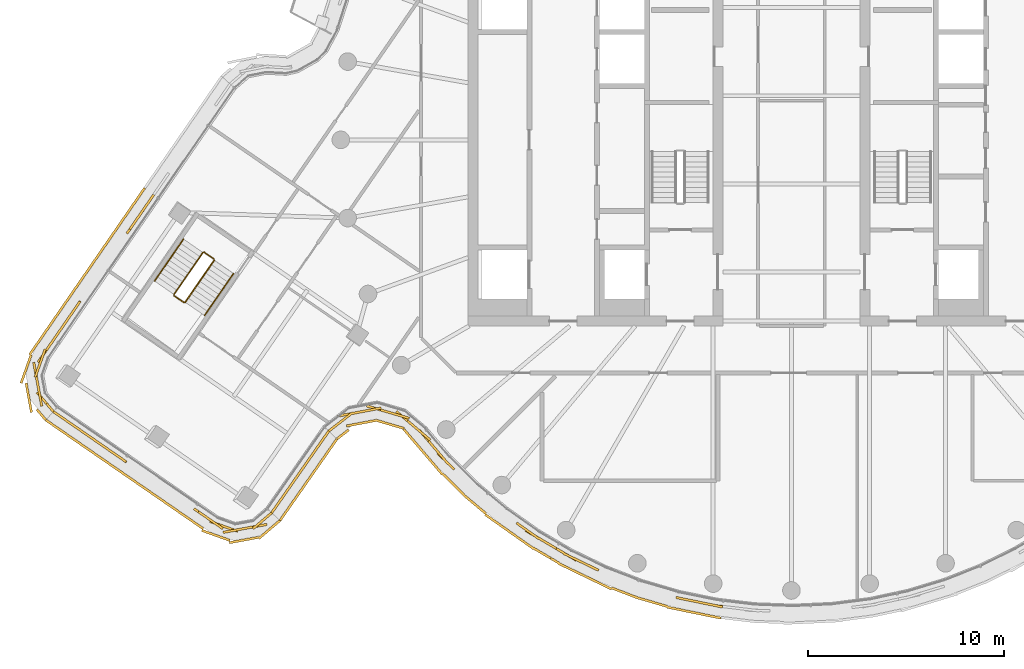
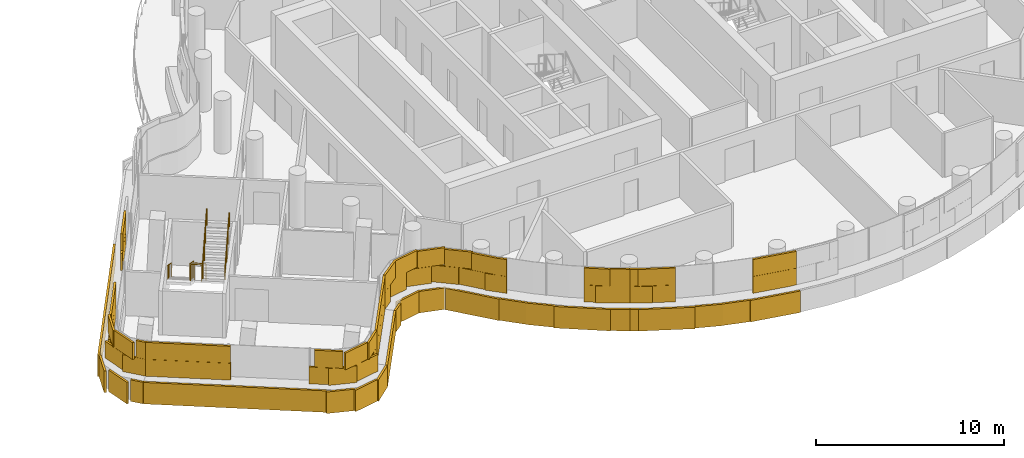
# One storey, part 21 of 26: 6 railings, 5 coverings.
"""IFC4 building model written with IfcOpenShell, lengths in metres."""

from ifc_helpers import new_model, si_unit, direction, frame, origin, origin_2d, place, context, subcontext, project, spatial, rectangle, circle, extrude, material, layer, layer_set, type_object, element, save


model = new_model("IFC4")

# Units and contexts
model_context = context("Model", 3, precision=1e-05, world=origin(), true_north=direction((0.0, 1.0)))
body_context = subcontext(model_context, "Body", "Model", "MODEL_VIEW")
ifc_project = project(units=[si_unit("LENGTHUNIT", "METRE"), si_unit("AREAUNIT", "SQUARE_METRE"), si_unit("VOLUMEUNIT", "CUBIC_METRE"), si_unit("PLANEANGLEUNIT", "RADIAN"), si_unit("MASSUNIT", "GRAM", prefix="KILO")], contexts=[model_context])

# Site, building, storey
site_placement = place(None, origin())
site = spatial("IfcSite", under=ifc_project, at=site_placement, CompositionType="ELEMENT")
building_placement = place(site_placement, origin())
building = spatial("IfcBuilding", under=site, at=building_placement, Name="Tamarind Cross Interchange Tower", CompositionType="ELEMENT")
storey_placement = place(building_placement, frame((0.0, 0.0, 234.300048828125)))
storey = spatial("IfcBuildingStorey", under=building, at=storey_placement, Name="L59", CompositionType="ELEMENT", Elevation=234.300048828125)

# Railings
ifc_material_1 = material(Name="Stair guard")
railing_type_1 = type_object("IfcRailingType", Name="Stair guard", PredefinedType="GUARDRAIL", material=ifc_material_1)
railing_1_placement = place(storey_placement, frame((-30.041015625, -5.749267578125, 0.16357421875)))
element("IfcRailing", 1, at=railing_1_placement, inside=storey, type_object=railing_type_1, Name="L59 ST5 stair guard 1", PredefinedType="GUARDRAIL", context=body_context, shape_type="SweptSolid", body=[
    extrude(circle(Radius=0.02392578125, at=origin_2d()), frame((0.0, 0.0, 1.076171875), z_axis=(-0.480855604908, -0.696449929171, 0.532668173806), x_axis=(0.822911534533, -0.568169522531, 0.0)), (0.0, 0.0, 1.0), 3.072265625),
    extrude(circle(Radius=0.02099609375, at=origin_2d()), origin(), (0.0, 0.0, 1.0), 1.052001953125),
    extrude(circle(Radius=0.02099609375, at=origin_2d()), frame((-0.492431640625, -0.713134765625, 0.54541015625)), (0.0, 0.0, 1.0), 1.052001953125),
    extrude(circle(Radius=0.02099609375, at=origin_2d()), frame((-0.98486328125, -1.426513671875, 1.091064453125)), (0.0, 0.0, 1.0), 1.052001953125),
    extrude(circle(Radius=0.02099609375, at=origin_2d()), frame((-1.477294921875, -2.1396484375, 1.636474609375)), (0.0, 0.0, 1.0), 1.052001953125),
])
railing_2_placement = place(storey_placement, frame((-31.505615234375, -7.958251953125, 1.800048828125)))
element("IfcRailing", 2, at=railing_2_placement, inside=storey, type_object=railing_type_1, Name="L59 ST5 stair guard 2", PredefinedType="GUARDRAIL", context=body_context, shape_type="SweptSolid", body=[
    extrude(circle(Radius=0.02392578125, at=origin_2d()), frame((0.0, 0.0, 1.076171875), z_axis=(0.822733797881, -0.568426862335, 0.0), x_axis=(0.568426862335, 0.822733797881, 0.0)), (0.0, 0.0, 1.0), 0.60009765625),
    extrude(circle(Radius=0.02099609375, at=origin_2d()), origin(), (0.0, 0.0, 1.0), 1.052001953125),
    extrude(circle(Radius=0.02099609375, at=origin_2d()), frame((0.49365234375, -0.341064453125, 0.0)), (0.0, 0.0, 1.0), 1.052001953125),
])
railing_3_placement = place(storey_placement, frame((-30.9423828125, -8.28662109375, 1.963623046875)))
element("IfcRailing", 3, at=railing_3_placement, inside=storey, type_object=railing_type_1, Name="L59 ST5 stair guard 3", PredefinedType="GUARDRAIL", context=body_context, shape_type="SweptSolid", body=[
    extrude(circle(Radius=0.02392578125, at=origin_2d()), frame((0.0, 0.0, 1.076171875), z_axis=(0.480875959113, 0.696479409299, 0.532611250698), x_axis=(-0.822911534533, 0.568169522531, 0.0)), (0.0, 0.0, 1.0), 3.072021484375),
    extrude(circle(Radius=0.02099609375, at=origin_2d()), origin(), (0.0, 0.0, 1.0), 1.052001953125),
    extrude(circle(Radius=0.02099609375, at=origin_2d()), frame((0.492431640625, 0.713134765625, 0.54541015625)), (0.0, 0.0, 1.0), 1.052001953125),
    extrude(circle(Radius=0.02099609375, at=origin_2d()), frame((0.98486328125, 1.426513671875, 1.0908203125)), (0.0, 0.0, 1.0), 1.052001953125),
    extrude(circle(Radius=0.02099609375, at=origin_2d()), frame((1.477294921875, 2.1396484375, 1.63623046875)), (0.0, 0.0, 1.0), 1.052001953125),
])
railing_4_placement = place(storey_placement, frame((-29.971435546875, -5.736572265625, 0.0)))
element("IfcRailing", 4, at=railing_4_placement, inside=storey, type_object=railing_type_1, Name="L59 ST5 stair guard 4", PredefinedType="GUARDRAIL", context=body_context, shape_type="SweptSolid", body=[
    extrude(circle(Radius=0.02392578125, at=origin_2d()), frame((0.0, 0.0, 1.076171875), z_axis=(0.822924084085, -0.568151345887, 0.0), x_axis=(0.568151345887, 0.822924084085, 0.0)), (0.0, 0.0, 1.0), 0.599853515625),
    extrude(circle(Radius=0.02099609375, at=origin_2d()), origin(), (0.0, 0.0, 1.0), 1.052001953125),
    extrude(circle(Radius=0.02099609375, at=origin_2d()), frame((0.49365234375, -0.3408203125, 0.0)), (0.0, 0.0, 1.0), 1.052001953125),
])
ifc_material_2 = material(Name="Stair handrail")
railing_type_2 = type_object("IfcRailingType", Name="Stair handrail", PredefinedType="HANDRAIL", material=ifc_material_2)
railing_5_placement = place(storey_placement, frame((-31.028564453125, -5.0673828125, 0.16357421875)))
element("IfcRailing", 5, at=railing_5_placement, inside=storey, type_object=railing_type_2, Name="L59 ST5 stair handrail 1", PredefinedType="HANDRAIL", context=body_context, shape_type="SweptSolid", body=[
    extrude(circle(Radius=0.02392578125, at=origin_2d()), frame((0.0, 0.0, 0.8759765625), z_axis=(-0.480855604908, -0.696449929171, 0.532668173806), x_axis=(0.822911534533, -0.568169522531, 0.0)), (0.0, 0.0, 1.0), 3.072265625),
    extrude(circle(Radius=0.02099609375, at=origin_2d()), origin(), (0.0, 0.0, 1.0), 0.851806640625),
    extrude(circle(Radius=0.02099609375, at=origin_2d()), frame((-0.492431640625, -0.713134765625, 0.54541015625)), (0.0, 0.0, 1.0), 0.851806640625),
    extrude(circle(Radius=0.02099609375, at=origin_2d()), frame((-0.98486328125, -1.426513671875, 1.091064453125)), (0.0, 0.0, 1.0), 0.851806640625),
    extrude(circle(Radius=0.02099609375, at=origin_2d()), frame((-1.477294921875, -2.1396484375, 1.636474609375)), (0.0, 0.0, 1.0), 0.851806640625),
])
railing_6_placement = place(storey_placement, frame((-29.954833984375, -8.968505859375, 1.963623046875)))
element("IfcRailing", 6, at=railing_6_placement, inside=storey, type_object=railing_type_2, Name="L59 ST5 stair handrail 2", PredefinedType="HANDRAIL", context=body_context, shape_type="SweptSolid", body=[
    extrude(circle(Radius=0.02392578125, at=origin_2d()), frame((0.0, 0.0, 0.8759765625), z_axis=(0.480875959113, 0.696479409299, 0.532611250698), x_axis=(-0.822911534533, 0.568169522531, 0.0)), (0.0, 0.0, 1.0), 3.072021484375),
    extrude(circle(Radius=0.02099609375, at=origin_2d()), origin(), (0.0, 0.0, 1.0), 0.851806640625),
    extrude(circle(Radius=0.02099609375, at=origin_2d()), frame((0.492431640625, 0.713134765625, 0.54541015625)), (0.0, 0.0, 1.0), 0.851806640625),
    extrude(circle(Radius=0.02099609375, at=origin_2d()), frame((0.98486328125, 1.426513671875, 1.0908203125)), (0.0, 0.0, 1.0), 0.851806640625),
    extrude(circle(Radius=0.02099609375, at=origin_2d()), frame((1.477294921875, 2.1396484375, 1.63623046875)), (0.0, 0.0, 1.0), 0.851806640625),
])

# Coverings
ifc_material_3 = material(Name="Terracotta", Category="masonry")
ifc_layer = layer(ifc_material_3, 0.1201171875)
ifc_layer_set = layer_set([ifc_layer], Name="Terracotta")
covering_type = type_object("IfcCoveringType", Name="Terracotta baguette screen unit", PredefinedType="MOLDING", material=ifc_layer_set)
covering_1_placement = place(storey_placement, origin())
element("IfcCovering", 7, at=covering_1_placement, inside=storey, type_object=covering_type, Name="SCR-L59-00-00", PredefinedType="MOLDING", context=body_context, shape_type="SweptSolid", body=[
    extrude(rectangle(XDim=0.760009765625, YDim=0.1201171875, at=origin_2d()), frame((-37.36083984375, -14.085205078125, 1.40380859375), z_axis=(0.0, 0.0, 1.0), x_axis=(0.822882571359, -0.56821146922, 0.0)), (0.0, 0.0, 1.0), 1.092041015625),
    extrude(rectangle(XDim=1.52001953125, YDim=0.1201171875, at=origin_2d()), frame((-36.43505859375, -14.724365234375, 1.40380859375), z_axis=(0.0, 0.0, 1.0), x_axis=(0.822882571359, -0.56821146922, 0.0)), (0.0, 0.0, 1.0), 1.092041015625),
    extrude(rectangle(XDim=1.52001953125, YDim=0.1201171875, at=origin_2d()), frame((-35.20068359375, -15.57666015625, 1.40380859375), z_axis=(0.0, 0.0, 1.0), x_axis=(0.822882571359, -0.56821146922, 0.0)), (0.0, 0.0, 1.0), 1.092041015625),
    extrude(rectangle(XDim=0.78466796875, YDim=0.1201171875, at=origin_2d()), frame((-34.264892578125, -16.222900390625, 1.40380859375), z_axis=(0.0, 0.0, 1.0), x_axis=(0.822882571359, -0.56821146922, 0.0)), (0.0, 0.0, 1.0), 1.092041015625),
    extrude(rectangle(XDim=1.035400390625, YDim=0.1201171875, at=origin_2d()), frame((-30.068115234375, -19.120849609375, 1.40380859375), z_axis=(0.0, 0.0, 1.0), x_axis=(0.822882571359, -0.56821146922, 0.0)), (0.0, 0.0, 1.0), 1.092041015625),
    extrude(rectangle(XDim=1.52001953125, YDim=0.1201171875, at=origin_2d()), frame((-28.972412109375, -19.7275390625, 1.40380859375), z_axis=(0.0, 0.0, 1.0), x_axis=(0.941907477559, -0.335872451562, 0.0)), (0.0, 0.0, 1.0), 1.092041015625),
    extrude(rectangle(XDim=1.52001953125, YDim=0.1201171875, at=origin_2d()), frame((-27.521728515625, -19.764404296875, 1.40380859375), z_axis=(0.0, 0.0, 1.0), x_axis=(0.983652029362, 0.180079663295, 0.0)), (0.0, 0.0, 1.0), 1.092041015625),
    extrude(rectangle(XDim=0.509521484375, YDim=0.1201171875, at=origin_2d()), frame((-26.720703125, -19.2001953125, 1.40380859375), z_axis=(0.0, 0.0, 1.0), x_axis=(0.761827814264, 0.647779577799, 0.0)), (0.0, 0.0, 1.0), 1.092041015625),
    extrude(rectangle(XDim=1.510009765625, YDim=0.1201171875, at=origin_2d()), frame((-37.05224609375, -14.298095703125, 2.50390625), z_axis=(0.0, 0.0, 1.0), x_axis=(0.822882571359, -0.56821146922, 0.0)), (0.0, 0.0, 1.0), 1.092041015625),
    extrude(rectangle(XDim=1.52001953125, YDim=0.1201171875, at=origin_2d()), frame((-35.81787109375, -15.150390625, 2.50390625), z_axis=(0.0, 0.0, 1.0), x_axis=(0.822882571359, -0.56821146922, 0.0)), (0.0, 0.0, 1.0), 1.092041015625),
    extrude(rectangle(XDim=1.52001953125, YDim=0.1201171875, at=origin_2d()), frame((-34.58349609375, -16.002685546875, 2.50390625), z_axis=(0.0, 0.0, 1.0), x_axis=(0.822882571359, -0.56821146922, 0.0)), (0.0, 0.0, 1.0), 1.092041015625),
    extrude(rectangle(XDim=1.52001953125, YDim=0.1201171875, at=origin_2d()), frame((-29.646240234375, -19.412109375, 2.50390625), z_axis=(0.0, 0.0, 1.0), x_axis=(0.822882571359, -0.56821146922, 0.0)), (0.0, 0.0, 1.0), 1.092041015625),
    extrude(rectangle(XDim=1.52001953125, YDim=0.1201171875, at=origin_2d()), frame((-28.259521484375, -19.8994140625, 2.50390625), z_axis=(0.0, 0.0, 1.0), x_axis=(0.983652029362, 0.180079663295, 0.0)), (0.0, 0.0, 1.0), 1.092041015625),
    extrude(rectangle(XDim=1.259521484375, YDim=0.1201171875, at=origin_2d()), frame((-27.00634765625, -19.443115234375, 2.50390625), z_axis=(0.0, 0.0, 1.0), x_axis=(0.761827814264, 0.647779577799, 0.0)), (0.0, 0.0, 1.0), 1.092041015625),
    extrude(rectangle(XDim=0.760009765625, YDim=0.1201171875, at=origin_2d()), frame((-37.7451171875, -14.517333984375, 0.00390625), z_axis=(0.0, 0.0, 1.0), x_axis=(0.822882571359, -0.56821146922, 0.0)), (0.0, 0.0, 1.0), 1.39208984375),
    extrude(rectangle(XDim=1.52001953125, YDim=0.1201171875, at=origin_2d()), frame((-36.823486328125, -15.15380859375, 0.00390625), z_axis=(0.0, 0.0, 1.0), x_axis=(0.822882571359, -0.56821146922, 0.0)), (0.0, 0.0, 1.0), 1.39208984375),
    extrude(rectangle(XDim=1.52001953125, YDim=0.1201171875, at=origin_2d()), frame((-35.589111328125, -16.006103515625, 0.00390625), z_axis=(0.0, 0.0, 1.0), x_axis=(0.822882571359, -0.56821146922, 0.0)), (0.0, 0.0, 1.0), 1.39208984375),
    extrude(rectangle(XDim=1.52001953125, YDim=0.1201171875, at=origin_2d()), frame((-34.354736328125, -16.8583984375, 0.00390625), z_axis=(0.0, 0.0, 1.0), x_axis=(0.822882571359, -0.56821146922, 0.0)), (0.0, 0.0, 1.0), 1.39208984375),
    extrude(rectangle(XDim=1.52001953125, YDim=0.1201171875, at=origin_2d()), frame((-33.120361328125, -17.710693359375, 0.00390625), z_axis=(0.0, 0.0, 1.0), x_axis=(0.822882571359, -0.56821146922, 0.0)), (0.0, 0.0, 1.0), 1.39208984375),
    extrude(rectangle(XDim=1.52001953125, YDim=0.1201171875, at=origin_2d()), frame((-31.88623046875, -18.56298828125, 0.00390625), z_axis=(0.0, 0.0, 1.0), x_axis=(0.822882571359, -0.56821146922, 0.0)), (0.0, 0.0, 1.0), 1.39208984375),
    extrude(rectangle(XDim=1.52001953125, YDim=0.1201171875, at=origin_2d()), frame((-30.65185546875, -19.415283203125, 0.00390625), z_axis=(0.0, 0.0, 1.0), x_axis=(0.822882571359, -0.56821146922, 0.0)), (0.0, 0.0, 1.0), 1.39208984375),
    extrude(rectangle(XDim=1.52001953125, YDim=0.1201171875, at=origin_2d()), frame((-29.378662109375, -20.192138671875, 0.00390625), z_axis=(0.0, 0.0, 1.0), x_axis=(0.941907477559, -0.335872451562, 0.0)), (0.0, 0.0, 1.0), 1.39208984375),
    extrude(rectangle(XDim=1.52001953125, YDim=0.1201171875, at=origin_2d()), frame((-27.944091796875, -20.42529296875, 0.00390625), z_axis=(0.0, 0.0, 1.0), x_axis=(0.983652029362, 0.180079663295, 0.0)), (0.0, 0.0, 1.0), 1.39208984375),
    extrude(rectangle(XDim=1.42529296875, YDim=0.1201171875, at=origin_2d()), frame((-26.64501953125, -19.889404296875, 0.00390625), z_axis=(0.0, 0.0, 1.0), x_axis=(0.761827814264, 0.647779577799, 0.0)), (0.0, 0.0, 1.0), 1.39208984375),
])
covering_2_placement = place(storey_placement, origin())
element("IfcCovering", 8, at=covering_2_placement, inside=storey, type_object=covering_type, Name="SCR-L59-01-00", PredefinedType="MOLDING", context=body_context, shape_type="SweptSolid", body=[
    extrude(rectangle(XDim=0.760009765625, YDim=0.1201171875, at=origin_2d()), frame((-26.315673828125, -18.73095703125, 1.40380859375), z_axis=(0.0, 0.0, 1.0), x_axis=(0.572611450483, 0.819826888298, 0.0)), (0.0, 0.0, 1.0), 1.092041015625),
    extrude(rectangle(XDim=1.52001953125, YDim=0.1201171875, at=origin_2d()), frame((-25.67138671875, -17.808837890625, 1.40380859375), z_axis=(0.0, 0.0, 1.0), x_axis=(0.572611450483, 0.819826888298, 0.0)), (0.0, 0.0, 1.0), 1.092041015625),
    extrude(rectangle(XDim=1.52001953125, YDim=0.1201171875, at=origin_2d()), frame((-24.8125, -16.5791015625, 1.40380859375), z_axis=(0.0, 0.0, 1.0), x_axis=(0.572611450483, 0.819826888298, 0.0)), (0.0, 0.0, 1.0), 1.092041015625),
    extrude(rectangle(XDim=1.348876953125, YDim=0.1201171875, at=origin_2d()), frame((-23.999755859375, -15.415283203125, 1.40380859375), z_axis=(0.0, 0.0, 1.0), x_axis=(0.572611450483, 0.819826888298, 0.0)), (0.0, 0.0, 1.0), 1.092041015625),
    extrude(rectangle(XDim=1.510009765625, YDim=0.1201171875, at=origin_2d()), frame((-26.100830078125, -18.423583984375, 2.50390625), z_axis=(0.0, 0.0, 1.0), x_axis=(0.572611450483, 0.819826888298, 0.0)), (0.0, 0.0, 1.0), 1.092041015625),
    extrude(rectangle(XDim=1.52001953125, YDim=0.1201171875, at=origin_2d()), frame((-25.241943359375, -17.19384765625, 2.50390625), z_axis=(0.0, 0.0, 1.0), x_axis=(0.572611450483, 0.819826888298, 0.0)), (0.0, 0.0, 1.0), 1.092041015625),
    extrude(rectangle(XDim=1.52001953125, YDim=0.1201171875, at=origin_2d()), frame((-24.383056640625, -15.964111328125, 2.50390625), z_axis=(0.0, 0.0, 1.0), x_axis=(0.572611450483, 0.819826888298, 0.0)), (0.0, 0.0, 1.0), 1.092041015625),
    extrude(rectangle(XDim=0.598876953125, YDim=0.1201171875, at=origin_2d()), frame((-23.784912109375, -15.10791015625, 2.50390625), z_axis=(0.0, 0.0, 1.0), x_axis=(0.572611450483, 0.819826888298, 0.0)), (0.0, 0.0, 1.0), 1.092041015625),
    extrude(rectangle(XDim=0.760009765625, YDim=0.1201171875, at=origin_2d()), frame((-25.884521484375, -19.1162109375, 0.00390625), z_axis=(0.0, 0.0, 1.0), x_axis=(0.572611450483, 0.819826888298, 0.0)), (0.0, 0.0, 1.0), 1.39208984375),
    extrude(rectangle(XDim=1.52001953125, YDim=0.1201171875, at=origin_2d()), frame((-25.2431640625, -18.197998046875, 0.00390625), z_axis=(0.0, 0.0, 1.0), x_axis=(0.572611450483, 0.819826888298, 0.0)), (0.0, 0.0, 1.0), 1.39208984375),
    extrude(rectangle(XDim=1.52001953125, YDim=0.1201171875, at=origin_2d()), frame((-24.38427734375, -16.96826171875, 0.00390625), z_axis=(0.0, 0.0, 1.0), x_axis=(0.572611450483, 0.819826888298, 0.0)), (0.0, 0.0, 1.0), 1.39208984375),
    extrude(rectangle(XDim=1.3359375, YDim=0.1201171875, at=origin_2d()), frame((-23.578125, -15.814208984375, 0.00390625), z_axis=(0.0, 0.0, 1.0), x_axis=(0.572611450483, 0.819826888298, 0.0)), (0.0, 0.0, 1.0), 1.39208984375),
])
covering_3_placement = place(storey_placement, origin())
element("IfcCovering", 9, at=covering_3_placement, inside=storey, type_object=covering_type, Name="SCR-L59-02-00", PredefinedType="MOLDING", context=body_context, shape_type="SweptSolid", body=[
    extrude(rectangle(XDim=0.760009765625, YDim=0.1201171875, at=origin_2d()), frame((-23.3203125, -14.636474609375, 1.40380859375), z_axis=(0.0, 0.0, 1.0), x_axis=(0.789688514992, 0.613507986329, 0.0)), (0.0, 0.0, 1.0), 1.092041015625),
    extrude(rectangle(XDim=1.52001953125, YDim=0.1201171875, at=origin_2d()), frame((-22.42333984375, -13.965576171875, 1.40380859375), z_axis=(0.0, 0.0, 1.0), x_axis=(0.982866785773, 0.184317338916, 0.0)), (0.0, 0.0, 1.0), 1.092041015625),
    extrude(rectangle(XDim=1.52001953125, YDim=0.1201171875, at=origin_2d()), frame((-20.953857421875, -13.7890625, 1.40380859375), z_axis=(0.0, 0.0, 1.0), x_axis=(0.960056782397, -0.279805244007, 0.0)), (0.0, 0.0, 1.0), 1.092041015625),
    extrude(rectangle(XDim=1.52001953125, YDim=0.1201171875, at=origin_2d()), frame((-19.5888671875, -14.3486328125, 1.40380859375), z_axis=(0.0, 0.0, 1.0), x_axis=(0.764058405096, -0.645147079046, 0.0)), (0.0, 0.0, 1.0), 1.092041015625),
    extrude(rectangle(XDim=1.52001953125, YDim=0.1201171875, at=origin_2d()), frame((-18.509521484375, -15.383544921875, 1.40380859375), z_axis=(0.0, 0.0, 1.0), x_axis=(0.649701191514, -0.760189688003, 0.0)), (0.0, 0.0, 1.0), 1.092041015625),
    extrude(rectangle(XDim=1.200927734375, YDim=0.1201171875, at=origin_2d()), frame((-17.634033203125, -16.4052734375, 1.40380859375), z_axis=(0.0, 0.0, 1.0), x_axis=(0.710143317658, -0.704057148523, 0.0)), (0.0, 0.0, 1.0), 1.092041015625),
    extrude(rectangle(XDim=0.619140625, YDim=0.1201171875, at=origin_2d()), frame((-13.7802734375, -19.72998046875, 1.40380859375), z_axis=(0.0, 0.0, 1.0), x_axis=(0.816341886298, -0.577568978284, 0.0)), (0.0, 0.0, 1.0), 1.092041015625),
    extrude(rectangle(XDim=1.52001953125, YDim=0.1201171875, at=origin_2d()), frame((-12.91015625, -20.32470703125, 1.40380859375), z_axis=(0.0, 0.0, 1.0), x_axis=(0.861248933065, -0.508183308752, 0.0)), (0.0, 0.0, 1.0), 1.092041015625),
    extrude(rectangle(XDim=0.3173828125, YDim=0.1201171875, at=origin_2d()), frame((-12.1318359375, -20.7841796875, 1.40380859375), z_axis=(0.0, 0.0, 1.0), x_axis=(0.861248933065, -0.508183308752, 0.0)), (0.0, 0.0, 1.0), 1.092041015625),
    extrude(rectangle(XDim=1.510009765625, YDim=0.1201171875, at=origin_2d()), frame((-23.024169921875, -14.406494140625, 2.50390625), z_axis=(0.0, 0.0, 1.0), x_axis=(0.789688514992, 0.613507986329, 0.0)), (0.0, 0.0, 1.0), 1.092041015625),
    extrude(rectangle(XDim=1.52001953125, YDim=0.1201171875, at=origin_2d()), frame((-21.68603515625, -13.8271484375, 2.50390625), z_axis=(0.0, 0.0, 1.0), x_axis=(0.982866785773, 0.184317338916, 0.0)), (0.0, 0.0, 1.0), 1.092041015625),
    extrude(rectangle(XDim=1.52001953125, YDim=0.1201171875, at=origin_2d()), frame((-20.23388671875, -13.998779296875, 2.50390625), z_axis=(0.0, 0.0, 1.0), x_axis=(0.960056782397, -0.279805244007, 0.0)), (0.0, 0.0, 1.0), 1.092041015625),
    extrude(rectangle(XDim=1.52001953125, YDim=0.1201171875, at=origin_2d()), frame((-19.015869140625, -14.83251953125, 2.50390625), z_axis=(0.0, 0.0, 1.0), x_axis=(0.764058405096, -0.645147079046, 0.0)), (0.0, 0.0, 1.0), 1.092041015625),
    extrude(rectangle(XDim=1.52001953125, YDim=0.1201171875, at=origin_2d()), frame((-18.0224609375, -15.953857421875, 2.50390625), z_axis=(0.0, 0.0, 1.0), x_axis=(0.649701191514, -0.760189688003, 0.0)), (0.0, 0.0, 1.0), 1.092041015625),
    extrude(rectangle(XDim=0.450927734375, YDim=0.1201171875, at=origin_2d()), frame((-17.367919921875, -16.669189453125, 2.50390625), z_axis=(0.0, 0.0, 1.0), x_axis=(0.710143317658, -0.704057148523, 0.0)), (0.0, 0.0, 1.0), 1.092041015625),
    extrude(rectangle(XDim=1.369140625, YDim=0.1201171875, at=origin_2d()), frame((-13.47412109375, -19.946533203125, 2.50390625), z_axis=(0.0, 0.0, 1.0), x_axis=(0.816341886298, -0.577568978284, 0.0)), (0.0, 0.0, 1.0), 1.092041015625),
    extrude(rectangle(XDim=1.0673828125, YDim=0.1201171875, at=origin_2d()), frame((-12.454833984375, -20.593505859375, 2.50390625), z_axis=(0.0, 0.0, 1.0), x_axis=(0.861248933065, -0.508183308752, 0.0)), (0.0, 0.0, 1.0), 1.092041015625),
    extrude(rectangle(XDim=0.760009765625, YDim=0.1201171875, at=origin_2d()), frame((-22.8955078125, -15.033447265625, 0.00390625), z_axis=(0.0, 0.0, 1.0), x_axis=(0.789688514992, 0.613507986329, 0.0)), (0.0, 0.0, 1.0), 1.39208984375),
    extrude(rectangle(XDim=1.52001953125, YDim=0.1201171875, at=origin_2d()), frame((-21.958740234375, -14.46240234375, 0.00390625), z_axis=(0.0, 0.0, 1.0), x_axis=(0.982866785773, 0.184317338916, 0.0)), (0.0, 0.0, 1.0), 1.39208984375),
    extrude(rectangle(XDim=1.52001953125, YDim=0.1201171875, at=origin_2d()), frame((-20.5009765625, -14.518798828125, 0.00390625), z_axis=(0.0, 0.0, 1.0), x_axis=(0.960056782397, -0.279805244007, 0.0)), (0.0, 0.0, 1.0), 1.39208984375),
    extrude(rectangle(XDim=1.52001953125, YDim=0.1201171875, at=origin_2d()), frame((-19.28662109375, -15.358154296875, 0.00390625), z_axis=(0.0, 0.0, 1.0), x_axis=(0.649701191514, -0.760189688003, 0.0)), (0.0, 0.0, 1.0), 1.39208984375),
    extrude(rectangle(XDim=1.52001953125, YDim=0.1201171875, at=origin_2d()), frame((-18.31201171875, -16.498291015625, 0.00390625), z_axis=(0.0, 0.0, 1.0), x_axis=(0.649701191514, -0.760189688003, 0.0)), (0.0, 0.0, 1.0), 1.39208984375),
    extrude(rectangle(XDim=1.52001953125, YDim=0.1201171875, at=origin_2d()), frame((-17.269287109375, -17.5751953125, 0.00390625), z_axis=(0.0, 0.0, 1.0), x_axis=(0.710143317658, -0.704057148523, 0.0)), (0.0, 0.0, 1.0), 1.39208984375),
    extrude(rectangle(XDim=1.52001953125, YDim=0.1201171875, at=origin_2d()), frame((-16.171142578125, -18.59521484375, 0.00390625), z_axis=(0.0, 0.0, 1.0), x_axis=(0.765858396687, -0.643009266048, 0.0)), (0.0, 0.0, 1.0), 1.39208984375),
    extrude(rectangle(XDim=1.52001953125, YDim=0.1201171875, at=origin_2d()), frame((-15.01953125, -19.556396484375, 0.00390625), z_axis=(0.0, 0.0, 1.0), x_axis=(0.816341886298, -0.577568978284, 0.0)), (0.0, 0.0, 1.0), 1.39208984375),
    extrude(rectangle(XDim=1.52001953125, YDim=0.1201171875, at=origin_2d()), frame((-13.795166015625, -20.422607421875, 0.00390625), z_axis=(0.0, 0.0, 1.0), x_axis=(0.816341886298, -0.577568978284, 0.0)), (0.0, 0.0, 1.0), 1.39208984375),
    extrude(rectangle(XDim=1.037841796875, YDim=0.1201171875, at=origin_2d()), frame((-12.732666015625, -21.09619140625, 0.00390625), z_axis=(0.0, 0.0, 1.0), x_axis=(0.861248933065, -0.508183308752, 0.0)), (0.0, 0.0, 1.0), 1.39208984375),
])
covering_4_placement = place(storey_placement, origin())
element("IfcCovering", 10, at=covering_4_placement, inside=storey, type_object=covering_type, Name="SCR-L59-02-01", PredefinedType="MOLDING", context=body_context, shape_type="SweptSolid", body=[
    extrude(rectangle(XDim=1.20263671875, YDim=0.1201171875, at=origin_2d()), frame((-11.48583984375, -21.165283203125, 1.40380859375), z_axis=(0.0, 0.0, 1.0), x_axis=(0.861248933065, -0.508183308752, 0.0)), (0.0, 0.0, 1.0), 1.092041015625),
    extrude(rectangle(XDim=1.23876953125, YDim=0.1201171875, at=origin_2d()), frame((-10.401123046875, -21.701904296875, 1.40380859375), z_axis=(0.0, 0.0, 1.0), x_axis=(0.900272776334, -0.435326231914, 0.0)), (0.0, 0.0, 1.0), 1.092041015625),
    extrude(rectangle(XDim=0.581298828125, YDim=0.1201171875, at=origin_2d()), frame((-5.609619140625, -23.415771484375, 1.40380859375), z_axis=(0.0, 0.0, 1.0), x_axis=(0.9795909409, -0.201001463943, 0.0)), (0.0, 0.0, 1.0), 1.092041015625),
    extrude(rectangle(XDim=1.52001953125, YDim=0.1201171875, at=origin_2d()), frame((-4.59521484375, -23.6240234375, 1.40380859375), z_axis=(0.0, 0.0, 1.0), x_axis=(0.9795909409, -0.201001463943, 0.0)), (0.0, 0.0, 1.0), 1.092041015625),
    extrude(rectangle(XDim=0.360107421875, YDim=0.1201171875, at=origin_2d()), frame((-3.686767578125, -23.79541015625, 1.40380859375), z_axis=(0.0, 0.0, 1.0), x_axis=(0.992843710523, -0.119420963295, 0.0)), (0.0, 0.0, 1.0), 1.092041015625),
    extrude(rectangle(XDim=0.45263671875, YDim=0.1201171875, at=origin_2d()), frame((-11.808837890625, -20.974609375, 2.50390625), z_axis=(0.0, 0.0, 1.0), x_axis=(0.861248933065, -0.508183308752, 0.0)), (0.0, 0.0, 1.0), 1.092041015625),
    extrude(rectangle(XDim=1.52001953125, YDim=0.1201171875, at=origin_2d()), frame((-10.954345703125, -21.434326171875, 2.50390625), z_axis=(0.0, 0.0, 1.0), x_axis=(0.900272776334, -0.435326231914, 0.0)), (0.0, 0.0, 1.0), 1.092041015625),
    extrude(rectangle(XDim=0.48876953125, YDim=0.1201171875, at=origin_2d()), frame((-10.0634765625, -21.864990234375, 2.50390625), z_axis=(0.0, 0.0, 1.0), x_axis=(0.900272776334, -0.435326231914, 0.0)), (0.0, 0.0, 1.0), 1.092041015625),
    extrude(rectangle(XDim=1.331298828125, YDim=0.1201171875, at=origin_2d()), frame((-5.242431640625, -23.4912109375, 2.50390625), z_axis=(0.0, 0.0, 1.0), x_axis=(0.9795909409, -0.201001463943, 0.0)), (0.0, 0.0, 1.0), 1.092041015625),
    extrude(rectangle(XDim=1.110107421875, YDim=0.1201171875, at=origin_2d()), frame((-4.056396484375, -23.734619140625, 2.50390625), z_axis=(0.0, 0.0, 1.0), x_axis=(0.9795909409, -0.201001463943, 0.0)), (0.0, 0.0, 1.0), 1.092041015625),
    extrude(rectangle(XDim=0.482177734375, YDim=0.1201171875, at=origin_2d()), frame((-12.078125, -21.482177734375, 0.00390625), z_axis=(0.0, 0.0, 1.0), x_axis=(0.861248933065, -0.508183308752, 0.0)), (0.0, 0.0, 1.0), 1.39208984375),
    extrude(rectangle(XDim=1.52001953125, YDim=0.1201171875, at=origin_2d()), frame((-11.214599609375, -21.946044921875, 0.00390625), z_axis=(0.0, 0.0, 1.0), x_axis=(0.900272776334, -0.435326231914, 0.0)), (0.0, 0.0, 1.0), 1.39208984375),
    extrude(rectangle(XDim=1.52001953125, YDim=0.1201171875, at=origin_2d()), frame((-9.864013671875, -22.59912109375, 0.00390625), z_axis=(0.0, 0.0, 1.0), x_axis=(0.900272776334, -0.435326231914, 0.0)), (0.0, 0.0, 1.0), 1.39208984375),
    extrude(rectangle(XDim=1.52001953125, YDim=0.1201171875, at=origin_2d()), frame((-8.46630859375, -23.14306640625, 0.00390625), z_axis=(0.0, 0.0, 1.0), x_axis=(0.933146843667, -0.359495435512, 0.0)), (0.0, 0.0, 1.0), 1.39208984375),
    extrude(rectangle(XDim=1.52001953125, YDim=0.1201171875, at=origin_2d()), frame((-7.042724609375, -23.61181640625, 0.00390625), z_axis=(0.0, 0.0, 1.0), x_axis=(0.95964657186, -0.281208920763, 0.0)), (0.0, 0.0, 1.0), 1.39208984375),
    extrude(rectangle(XDim=1.52001953125, YDim=0.1201171875, at=origin_2d()), frame((-5.59619140625, -24.004638671875, 0.00390625), z_axis=(0.0, 0.0, 1.0), x_axis=(0.9795909409, -0.201001463943, 0.0)), (0.0, 0.0, 1.0), 1.39208984375),
    extrude(rectangle(XDim=1.296142578125, YDim=0.1201171875, at=origin_2d()), frame((-4.236328125, -24.283447265625, 0.00390625), z_axis=(0.0, 0.0, 1.0), x_axis=(0.9795909409, -0.201001463943, 0.0)), (0.0, 0.0, 1.0), 1.39208984375),
])
covering_5_placement = place(storey_placement, origin())
element("IfcCovering", 11, at=covering_5_placement, inside=storey, type_object=covering_type, Name="SCR-L59-07-01", PredefinedType="MOLDING", context=body_context, shape_type="SweptSolid", body=[
    extrude(rectangle(XDim=1.393310546875, YDim=0.1201171875, at=origin_2d()), frame((-32.942138671875, -3.368896484375, 1.40380859375), z_axis=(0.0, 0.0, 1.0), x_axis=(-0.56821146922, -0.822882571359, 0.0)), (0.0, 0.0, 1.0), 1.092041015625),
    extrude(rectangle(XDim=1.032958984375, YDim=0.1201171875, at=origin_2d()), frame((-33.6259765625, -4.35888671875, 1.40380859375), z_axis=(0.0, 0.0, 1.0), x_axis=(-0.56821146922, -0.822882571359, 0.0)), (0.0, 0.0, 1.0), 1.092041015625),
    extrude(rectangle(XDim=0.787109375, YDim=0.1201171875, at=origin_2d()), frame((-36.523681640625, -8.5556640625, 1.40380859375), z_axis=(0.0, 0.0, 1.0), x_axis=(-0.56821146922, -0.822882571359, 0.0)), (0.0, 0.0, 1.0), 1.092041015625),
    extrude(rectangle(XDim=1.52001953125, YDim=0.1201171875, at=origin_2d()), frame((-37.170654296875, -9.492431640625, 1.40380859375), z_axis=(0.0, 0.0, 1.0), x_axis=(-0.56821146922, -0.822882571359, 0.0)), (0.0, 0.0, 1.0), 1.092041015625),
    extrude(rectangle(XDim=1.52001953125, YDim=0.1201171875, at=origin_2d()), frame((-38.02294921875, -10.726806640625, 1.40380859375), z_axis=(0.0, 0.0, 1.0), x_axis=(-0.56821146922, -0.822882571359, 0.0)), (0.0, 0.0, 1.0), 1.092041015625),
    extrude(rectangle(XDim=1.52001953125, YDim=0.1201171875, at=origin_2d()), frame((-38.536865234375, -12.10791015625, 1.40380859375), z_axis=(0.0, 0.0, 1.0), x_axis=(0.180079663295, -0.983652029362, 0.0)), (0.0, 0.0, 1.0), 1.092041015625),
    extrude(rectangle(XDim=1.295166015625, YDim=0.1201171875, at=origin_2d()), frame((-38.085693359375, -13.382568359375, 1.40380859375), z_axis=(0.0, 0.0, 1.0), x_axis=(0.647779577799, -0.761827814264, 0.0)), (0.0, 0.0, 1.0), 1.092041015625),
    extrude(rectangle(XDim=0.643310546875, YDim=0.1201171875, at=origin_2d()), frame((-32.729248046875, -3.060302734375, 2.50390625), z_axis=(0.0, 0.0, 1.0), x_axis=(-0.56821146922, -0.822882571359, 0.0)), (0.0, 0.0, 1.0), 1.092041015625),
    extrude(rectangle(XDim=1.52001953125, YDim=0.1201171875, at=origin_2d()), frame((-33.335205078125, -3.93798828125, 2.50390625), z_axis=(0.0, 0.0, 1.0), x_axis=(-0.56821146922, -0.822882571359, 0.0)), (0.0, 0.0, 1.0), 1.092041015625),
    extrude(rectangle(XDim=1.52001953125, YDim=0.1201171875, at=origin_2d()), frame((-36.74462890625, -8.875244140625, 2.50390625), z_axis=(0.0, 0.0, 1.0), x_axis=(-0.56821146922, -0.822882571359, 0.0)), (0.0, 0.0, 1.0), 1.092041015625),
    extrude(rectangle(XDim=1.52001953125, YDim=0.1201171875, at=origin_2d()), frame((-37.596923828125, -10.109619140625, 2.50390625), z_axis=(0.0, 0.0, 1.0), x_axis=(-0.56821146922, -0.822882571359, 0.0)), (0.0, 0.0, 1.0), 1.092041015625),
    extrude(rectangle(XDim=1.52001953125, YDim=0.1201171875, at=origin_2d()), frame((-38.3466796875, -11.396484375, 2.50390625), z_axis=(0.0, 0.0, 1.0), x_axis=(-0.335872451562, -0.941907477559, 0.0)), (0.0, 0.0, 1.0), 1.092041015625),
    extrude(rectangle(XDim=1.52001953125, YDim=0.1201171875, at=origin_2d()), frame((-38.40185546875, -12.845458984375, 2.50390625), z_axis=(0.0, 0.0, 1.0), x_axis=(0.180079663295, -0.983652029362, 0.0)), (0.0, 0.0, 1.0), 1.092041015625),
    extrude(rectangle(XDim=0.545166015625, YDim=0.1201171875, at=origin_2d()), frame((-37.8427734375, -13.668212890625, 2.50390625), z_axis=(0.0, 0.0, 1.0), x_axis=(0.647779577799, -0.761827814264, 0.0)), (0.0, 0.0, 1.0), 1.092041015625),
    extrude(rectangle(XDim=1.332275390625, YDim=0.1201171875, at=origin_2d()), frame((-33.392822265625, -3.010986328125, 0.00390625), z_axis=(0.0, 0.0, 1.0), x_axis=(-0.56821146922, -0.822882571359, 0.0)), (0.0, 0.0, 1.0), 1.39208984375),
    extrude(rectangle(XDim=1.52001953125, YDim=0.1201171875, at=origin_2d()), frame((-34.19189453125, -4.168212890625, 0.00390625), z_axis=(0.0, 0.0, 1.0), x_axis=(-0.56821146922, -0.822882571359, 0.0)), (0.0, 0.0, 1.0), 1.39208984375),
    extrude(rectangle(XDim=1.52001953125, YDim=0.1201171875, at=origin_2d()), frame((-35.044189453125, -5.402587890625, 0.00390625), z_axis=(0.0, 0.0, 1.0), x_axis=(-0.56821146922, -0.822882571359, 0.0)), (0.0, 0.0, 1.0), 1.39208984375),
    extrude(rectangle(XDim=1.52001953125, YDim=0.1201171875, at=origin_2d()), frame((-35.896484375, -6.63671875, 0.00390625), z_axis=(0.0, 0.0, 1.0), x_axis=(-0.56821146922, -0.822882571359, 0.0)), (0.0, 0.0, 1.0), 1.39208984375),
    extrude(rectangle(XDim=1.52001953125, YDim=0.1201171875, at=origin_2d()), frame((-36.748779296875, -7.87109375, 0.00390625), z_axis=(0.0, 0.0, 1.0), x_axis=(-0.56821146922, -0.822882571359, 0.0)), (0.0, 0.0, 1.0), 1.39208984375),
    extrude(rectangle(XDim=1.52001953125, YDim=0.1201171875, at=origin_2d()), frame((-37.60107421875, -9.10546875, 0.00390625), z_axis=(0.0, 0.0, 1.0), x_axis=(-0.56821146922, -0.822882571359, 0.0)), (0.0, 0.0, 1.0), 1.39208984375),
    extrude(rectangle(XDim=1.52001953125, YDim=0.1201171875, at=origin_2d()), frame((-38.453369140625, -10.33984375, 0.00390625), z_axis=(0.0, 0.0, 1.0), x_axis=(-0.56821146922, -0.822882571359, 0.0)), (0.0, 0.0, 1.0), 1.39208984375),
    extrude(rectangle(XDim=1.52001953125, YDim=0.1201171875, at=origin_2d()), frame((-39.063720703125, -11.697998046875, 0.00390625), z_axis=(0.0, 0.0, 1.0), x_axis=(-0.335872451562, -0.941907477559, 0.0)), (0.0, 0.0, 1.0), 1.39208984375),
    extrude(rectangle(XDim=1.52001953125, YDim=0.1201171875, at=origin_2d()), frame((-38.92724609375, -13.162841796875, 0.00390625), z_axis=(0.0, 0.0, 1.0), x_axis=(0.180079663295, -0.983652029362, 0.0)), (0.0, 0.0, 1.0), 1.39208984375),
    extrude(rectangle(XDim=0.7109375, YDim=0.1201171875, at=origin_2d()), frame((-38.2880859375, -14.030517578125, 0.00390625), z_axis=(0.0, 0.0, 1.0), x_axis=(0.647779577799, -0.761827814264, 0.0)), (0.0, 0.0, 1.0), 1.39208984375),
])

save(model, "model.ifc")
